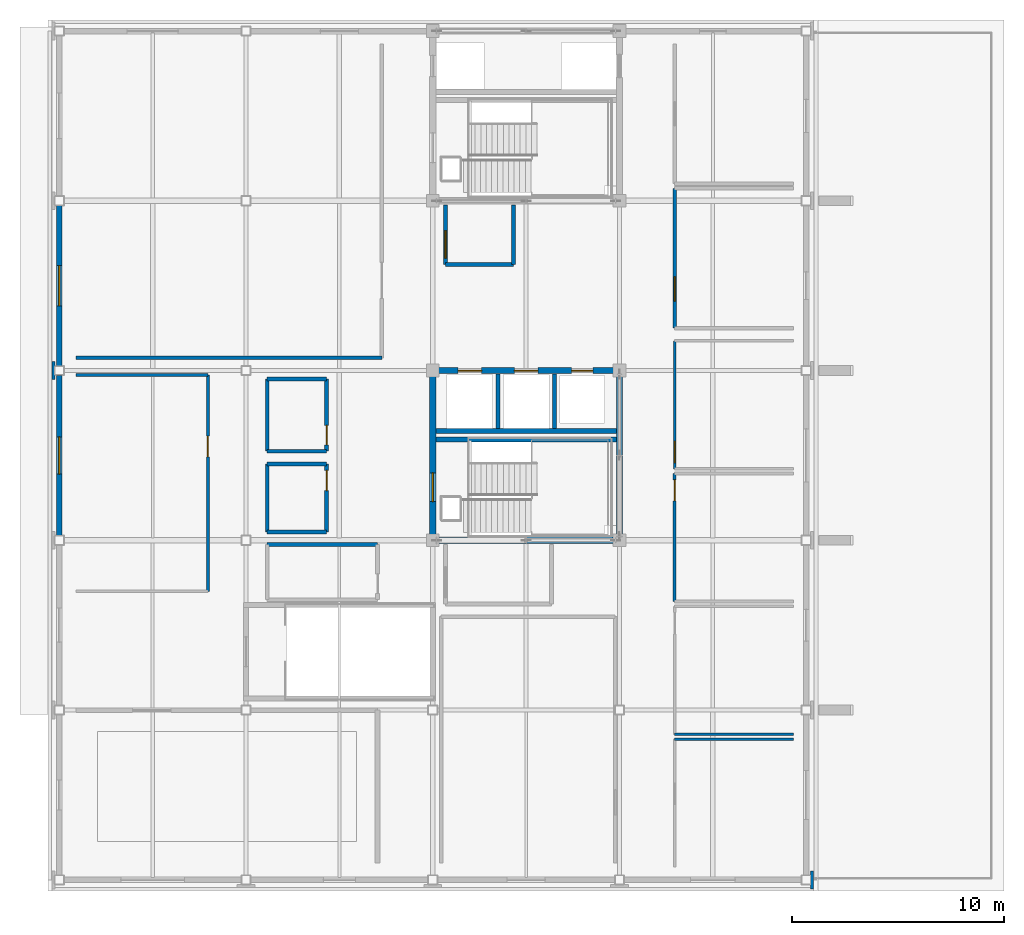
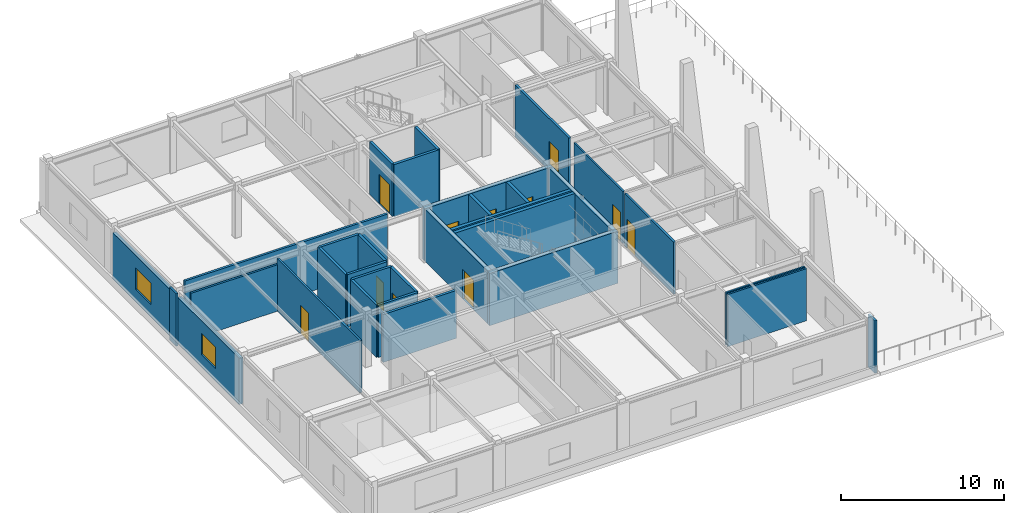
# One storey, part 7 of 13: 32 walls, 11 doors, 2 windows, 13 openings.
"""IFC4 building model written with IfcOpenShell, lengths in metres."""

from ifc_helpers import new_model, si_unit, direction, frame, frame_2d, origin, place, context, subcontext, project, spatial, rectangle, extrude, material, layer, layer_set, type_object, element, fill, save


model = new_model("IFC4")

# Units and contexts
model_context = context("Model", 3, precision=1e-05, world=origin(), true_north=direction((0.0, 1.0)))
body_context = subcontext(model_context, "Body", "Model", "MODEL_VIEW")
ifc_project = project(units=[si_unit("LENGTHUNIT", "METRE"), si_unit("AREAUNIT", "SQUARE_METRE"), si_unit("VOLUMEUNIT", "CUBIC_METRE"), si_unit("PLANEANGLEUNIT", "RADIAN"), si_unit("MASSUNIT", "GRAM", prefix="KILO")], contexts=[model_context])

# Site, building, storey
site_placement = place(None, origin())
site = spatial("IfcSite", under=ifc_project, at=site_placement, CompositionType="ELEMENT")
building_placement = place(site_placement, origin())
building = spatial("IfcBuilding", under=site, at=building_placement, Name="Zhaolan Boulevard Law Courts", CompositionType="ELEMENT")
storey_placement = place(building_placement, frame((0.0, 0.0, 37.199951171875)))
storey = spatial("IfcBuildingStorey", under=building, at=storey_placement, Name="L08", CompositionType="ELEMENT", Elevation=37.199951171875)

# Wall
ifc_material_1 = material(Name="Concrete C50", Category="concrete")
ifc_layer_1 = layer(ifc_material_1, 0.300048828125)
ifc_layer_set_1 = layer_set([ifc_layer_1])
wall_type_1 = type_object("IfcWallType", Name="CORE SHEAR WALL 300", PredefinedType="SHEAR", material=ifc_layer_set_1)
wall_1_placement = place(storey_placement, frame((17.449951171875, 46.0, 0.0), z_axis=(0.0, 0.0, 1.0), x_axis=(1.0, 0.0, 0.0)))
element("IfcWall", 1, at=wall_1_placement, inside=storey, type_object=wall_type_1, Name="Core Shear Wall CW-W1-L08S", PredefinedType="SHEAR", context=body_context, shape_type="SweptSolid", body=[
    extrude(rectangle(XDim=9.10009765625, YDim=0.300048828125, at=frame_2d((4.550048828125, 0.0))), origin(), (0.0, 0.0, 1.0), 3.920166015625),
])

# Wall, openings, doors
wall_2_placement = place(storey_placement, frame((26.550048828125, 54.0, 0.0), z_axis=(0.0, 0.0, 1.0), x_axis=(-1.0, 0.0, 0.0)))
wall_2 = element("IfcWall", 2, at=wall_2_placement, inside=storey, type_object=wall_type_1, Name="Core Shear Wall CW-W1-L08N", PredefinedType="SHEAR", context=body_context, shape_type="SweptSolid", body=[
    extrude(rectangle(XDim=9.10009765625, YDim=0.300048828125, at=frame_2d((4.550048828125, 0.0))), origin(), (0.0, 0.0, 1.0), 3.920166015625),
])
opening_1_placement = place(wall_2_placement, frame((6.64990234375, 0.0, 0.0)))
opening_1 = element("IfcOpeningElement", 3, at=opening_1_placement, cuts=wall_2, Name="Opening LD-FL-01-L08", PredefinedType="OPENING", context=body_context, shape_type="SweptSolid", body=[
    extrude(rectangle(XDim=1.10009765625, YDim=2.14990234375, at=frame_2d((0.550048828125, 1.074951171875))), frame((0.0, 0.159912109375, 0.0), z_axis=(0.0, -1.0, 0.0), x_axis=(1.0, 0.0, 0.0)), (0.0, 0.0, 1.0), 0.320068359375),
])
opening_2_placement = place(wall_2_placement, frame((4.0, 0.0, 0.0)))
opening_2 = element("IfcOpeningElement", 4, at=opening_2_placement, cuts=wall_2, Name="Opening LD-FL-02-L08", PredefinedType="OPENING", context=body_context, shape_type="SweptSolid", body=[
    extrude(rectangle(XDim=1.10009765625, YDim=2.14990234375, at=frame_2d((0.550048828125, 1.074951171875))), frame((0.0, 0.159912109375, 0.0), z_axis=(0.0, -1.0, 0.0), x_axis=(1.0, 0.0, 0.0)), (0.0, 0.0, 1.0), 0.320068359375),
])
opening_3_placement = place(wall_2_placement, frame((1.39990234375, 0.0, 0.0)))
opening_3 = element("IfcOpeningElement", 5, at=opening_3_placement, cuts=wall_2, Name="Opening LD-JL-01-L08", PredefinedType="OPENING", context=body_context, shape_type="SweptSolid", body=[
    extrude(rectangle(XDim=1.0, YDim=2.14990234375, at=frame_2d((0.5, 1.074951171875))), frame((0.0, 0.159912109375, 0.0), z_axis=(0.0, -1.0, 0.0), x_axis=(1.0, 0.0, 0.0)), (0.0, 0.0, 1.0), 0.320068359375),
])
ifc_material_2 = material(Name="Stainless steel sliding landing door", Category="steel")
door_type_1 = type_object("IfcDoorType", Name="LIFT LANDING 1000X2150", OperationType="DOUBLE_DOOR_SLIDING", PredefinedType="DOOR", material=ifc_material_2)
door_1_placement = place(opening_3_placement, origin())
door_1 = element("IfcDoor", 6, at=door_1_placement, inside=storey, type_object=door_type_1, Name="Lift Landing Sliding Door LD-JL-01-L08", OperationType="DOUBLE_DOOR_SLIDING", OverallHeight=2.14990234375, OverallWidth=1.0, PredefinedType="DOOR", context=body_context, shape_type="SweptSolid", body=[
    extrude(rectangle(XDim=1.0, YDim=2.14990234375, at=frame_2d((0.5, 1.074951171875))), frame((0.0, 0.02490234375, 0.0), z_axis=(0.0, -1.0, 0.0), x_axis=(1.0, 0.0, 0.0)), (0.0, 0.0, 1.0), 0.050048828125),
])
fill(opening_3, door_1)
ifc_material_3 = material(Name="Stainless steel sliding landing door", Category="steel")
door_type_2 = type_object("IfcDoorType", Name="LIFT LANDING 1100X2150", OperationType="DOUBLE_DOOR_SLIDING", PredefinedType="DOOR", material=ifc_material_3)
door_2_placement = place(opening_1_placement, origin())
door_2 = element("IfcDoor", 7, at=door_2_placement, inside=storey, type_object=door_type_2, Name="Lift Landing Sliding Door LD-FL-01-L08", OperationType="DOUBLE_DOOR_SLIDING", OverallHeight=2.14990234375, OverallWidth=1.10009765625, PredefinedType="DOOR", context=body_context, shape_type="SweptSolid", body=[
    extrude(rectangle(XDim=1.10009765625, YDim=2.14990234375, at=frame_2d((0.550048828125, 1.074951171875))), frame((0.0, 0.02490234375, 0.0), z_axis=(0.0, -1.0, 0.0), x_axis=(1.0, 0.0, 0.0)), (0.0, 0.0, 1.0), 0.050048828125),
])
fill(opening_1, door_2)
door_3_placement = place(opening_2_placement, origin())
door_3 = element("IfcDoor", 8, at=door_3_placement, inside=storey, type_object=door_type_2, Name="Lift Landing Sliding Door LD-FL-02-L08", OperationType="DOUBLE_DOOR_SLIDING", OverallHeight=2.14990234375, OverallWidth=1.10009765625, PredefinedType="DOOR", context=body_context, shape_type="SweptSolid", body=[
    extrude(rectangle(XDim=1.10009765625, YDim=2.14990234375, at=frame_2d((0.550048828125, 1.074951171875))), frame((0.0, 0.02490234375, 0.0), z_axis=(0.0, -1.0, 0.0), x_axis=(1.0, 0.0, 0.0)), (0.0, 0.0, 1.0), 0.050048828125),
])
fill(opening_2, door_3)

# Wall, opening, door
wall_3_placement = place(storey_placement, frame((17.60009765625, 46.14990234375, 0.0), z_axis=(0.0, 0.0, 1.0), x_axis=(0.0, 1.0, 0.0)))
wall_3 = element("IfcWall", 9, at=wall_3_placement, inside=storey, type_object=wall_type_1, Name="Core Shear Wall CW-W1-L08W", PredefinedType="SHEAR", context=body_context, shape_type="SweptSolid", body=[
    extrude(rectangle(XDim=7.7001953125, YDim=0.300048828125, at=frame_2d((3.85009765625, 0.0))), origin(), (0.0, 0.0, 1.0), 3.920166015625),
])
opening_4_placement = place(wall_3_placement, frame((1.675048828125, 0.0, 0.0)))
opening_4 = element("IfcOpeningElement", 10, at=opening_4_placement, cuts=wall_3, Name="Opening SD-L08-10", PredefinedType="OPENING", context=body_context, shape_type="SweptSolid", body=[
    extrude(rectangle(XDim=1.35009765625, YDim=2.199951171875, at=frame_2d((0.675048828125, 1.10009765625))), frame((0.0, 0.159912109375, 0.0), z_axis=(0.0, -1.0, 0.0), x_axis=(1.0, 0.0, 0.0)), (0.0, 0.0, 1.0), 0.320068359375),
])
ifc_material_4 = material(Name="Fire-rated steel acoustic door", Category="steel")
door_type_3 = type_object("IfcDoorType", Name="STAIR FIRE 1350X2200 R", OperationType="SINGLE_SWING_RIGHT", PredefinedType="DOOR", material=ifc_material_4)
door_4_placement = place(opening_4_placement, origin())
door_4 = element("IfcDoor", 11, at=door_4_placement, inside=storey, type_object=door_type_3, Name="Smoke-Proof Stairwell Fire Door SD-L08-10", OperationType="SINGLE_SWING_RIGHT", OverallHeight=2.199951171875, OverallWidth=1.35009765625, PredefinedType="DOOR", context=body_context, shape_type="SweptSolid", body=[
    extrude(rectangle(XDim=1.35009765625, YDim=2.199951171875, at=frame_2d((0.675048828125, 1.10009765625))), frame((0.0, 0.02490234375, 0.0), z_axis=(0.0, -1.0, 0.0), x_axis=(1.0, 0.0, 0.0)), (0.0, 0.0, 1.0), 0.050048828125),
])
fill(opening_4, door_4)

# Walls
wall_4_placement = place(storey_placement, frame((26.39990234375, 46.14990234375, 0.0), z_axis=(0.0, 0.0, 1.0), x_axis=(0.0, 1.0, 0.0)))
element("IfcWall", 12, at=wall_4_placement, inside=storey, type_object=wall_type_1, Name="Core Shear Wall CW-W1-L08E", PredefinedType="SHEAR", context=body_context, shape_type="SweptSolid", body=[
    extrude(rectangle(XDim=7.7001953125, YDim=0.300048828125, at=frame_2d((3.85009765625, 0.0))), origin(), (0.0, 0.0, 1.0), 3.920166015625),
])
ifc_material_5 = material(Name="Concrete C40", Category="concrete")
ifc_layer_2 = layer(ifc_material_5, 0.139892578125)
ifc_layer_set_2 = layer_set([ifc_layer_2])
wall_type_2 = type_object("IfcWallType", Name="EXT WALL ARCH CLAD140", PredefinedType="SOLIDWALL", material=ifc_layer_set_2)
for number, where, z_axis, x_axis, name in (
    (13, (35.47998046875, 29.580078125, 0.0), (0.0, 0.0, 1.0), (0.0, 1.0, 0.0), "Concrete Column Cloak Pier CPR-184"),
    (14, (-0.280029296875, 53.580078125, 0.0), (0.0, 0.0, 1.0), (0.0, 1.0, 0.0), "Concrete Column Cloak Pier CPR-189"),
):
    element("IfcWall", number, at=place(storey_placement, frame(where, z_axis=z_axis, x_axis=x_axis)), inside=storey, type_object=wall_type_2, Name=name, PredefinedType="SOLIDWALL", context=body_context, shape_type="SweptSolid", body=[
        extrude(rectangle(XDim=0.83984375, YDim=0.139892578125, at=frame_2d((0.419921875, 0.0))), origin(), (0.0, 0.0, 1.0), 3.93994140625),
    ])

# Wall, opening, window
ifc_material_6 = material(Name="Concrete C40", Category="concrete")
ifc_layer_3 = layer(ifc_material_6, 0.260009765625)
ifc_layer_set_3 = layer_set([ifc_layer_3])
wall_type_3 = type_object("IfcWallType", Name="EXT WALL CONCRETE260", PredefinedType="SOLIDWALL", material=ifc_layer_set_3)
wall_5_placement = place(storey_placement, frame((0.0, 53.779052734375, 0.0), z_axis=(0.0, 0.0, 1.0), x_axis=(0.0, -1.0, 0.0)))
wall_5 = element("IfcWall", 15, at=wall_5_placement, inside=storey, type_object=wall_type_3, Name="Exterior Wall EW-L08-417", PredefinedType="SOLIDWALL", context=body_context, shape_type="SweptSolid", body=[
    extrude(rectangle(XDim=7.55810546875, YDim=0.260009765625, at=frame_2d((3.779052734375, 0.0))), origin(), (0.0, 0.0, 1.0), 3.483154296875),
])
opening_5_placement = place(wall_5_placement, frame((2.904052734375, 0.0, 0.949951171875)))
opening_5 = element("IfcOpeningElement", 16, at=opening_5_placement, cuts=wall_5, Name="Opening WIN-L08-267", PredefinedType="OPENING", context=body_context, shape_type="SweptSolid", body=[
    extrude(rectangle(XDim=1.75, YDim=1.60009765625, at=frame_2d((0.875, 0.800048828125))), frame((0.0, 0.139892578125, 0.0), z_axis=(0.0, -1.0, 0.0), x_axis=(1.0, 0.0, 0.0)), (0.0, 0.0, 1.0), 0.280029296875),
])
ifc_material_7 = material(Name="Thermally broken aluminium and low-E glazing", Category="aluminium")
window_type_1 = type_object("IfcWindowType", Name="WINDOW 1750X1600", PartitioningType="SINGLE_PANEL", PredefinedType="WINDOW", material=ifc_material_7)
window_1_placement = place(opening_5_placement, origin())
window_1 = element("IfcWindow", 17, at=window_1_placement, inside=storey, type_object=window_type_1, Name="Exterior Window WIN-L08-267", OverallHeight=1.60009765625, OverallWidth=1.75, PartitioningType="SINGLE_PANEL", PredefinedType="WINDOW", context=body_context, shape_type="SweptSolid", body=[
    extrude(rectangle(XDim=1.75, YDim=1.60009765625, at=frame_2d((0.875, 0.800048828125))), frame((0.0, 0.030029296875, 0.0), z_axis=(0.0, -1.0, 0.0), x_axis=(1.0, 0.0, 0.0)), (0.0, 0.0, 1.0), 0.06005859375),
])
fill(opening_5, window_1)

wall_6_placement = place(storey_placement, frame((0.0, 61.779052734375, 0.0), z_axis=(0.0, 0.0, 1.0), x_axis=(0.0, -1.0, 0.0)))
wall_6 = element("IfcWall", 18, at=wall_6_placement, inside=storey, type_object=wall_type_3, Name="Exterior Wall EW-L08-418", PredefinedType="SOLIDWALL", context=body_context, shape_type="SweptSolid", body=[
    extrude(rectangle(XDim=7.55810546875, YDim=0.260009765625, at=frame_2d((3.779052734375, 0.0))), origin(), (0.0, 0.0, 1.0), 3.483154296875),
])
opening_6_placement = place(wall_6_placement, frame((2.8291015625, 0.0, 0.949951171875)))
opening_6 = element("IfcOpeningElement", 19, at=opening_6_placement, cuts=wall_6, Name="Opening WIN-L08-268", PredefinedType="OPENING", context=body_context, shape_type="SweptSolid", body=[
    extrude(rectangle(XDim=1.89990234375, YDim=1.60009765625, at=frame_2d((0.949951171875, 0.800048828125))), frame((0.0, 0.139892578125, 0.0), z_axis=(0.0, -1.0, 0.0), x_axis=(1.0, 0.0, 0.0)), (0.0, 0.0, 1.0), 0.280029296875),
])
ifc_material_8 = material(Name="Thermally broken aluminium and low-E glazing", Category="aluminium")
window_type_2 = type_object("IfcWindowType", Name="WINDOW 1900X1600", PartitioningType="DOUBLE_PANEL_VERTICAL", PredefinedType="WINDOW", material=ifc_material_8)
window_2_placement = place(opening_6_placement, origin())
window_2 = element("IfcWindow", 20, at=window_2_placement, inside=storey, type_object=window_type_2, Name="Exterior Window WIN-L08-268", OverallHeight=1.60009765625, OverallWidth=1.89990234375, PartitioningType="SINGLE_PANEL", PredefinedType="WINDOW", context=body_context, shape_type="SweptSolid", body=[
    extrude(rectangle(XDim=1.89990234375, YDim=1.60009765625, at=frame_2d((0.949951171875, 0.800048828125))), frame((0.0, 0.030029296875, 0.0), z_axis=(0.0, -1.0, 0.0), x_axis=(1.0, 0.0, 0.0)), (0.0, 0.0, 1.0), 0.06005859375),
])
fill(opening_6, window_2)

# Walls
ifc_material_9 = material(Name="Concrete C50", Category="concrete")
ifc_layer_4 = layer(ifc_material_9, 0.239990234375)
ifc_layer_set_4 = layer_set([ifc_layer_4])
wall_type_4 = type_object("IfcWallType", Name="LIFT SHAFT WALL 240", PredefinedType="SHEAR", material=ifc_layer_set_4)
wall_7_placement = place(storey_placement, frame((17.75, 51.155029296875, 0.0), z_axis=(0.0, 0.0, 1.0), x_axis=(1.0, 0.0, 0.0)))
element("IfcWall", 21, at=wall_7_placement, inside=storey, type_object=wall_type_4, Name="Lift Shaft Enclosure Wall W1 (L08)", PredefinedType="SHEAR", context=body_context, shape_type="SweptSolid", body=[
    extrude(rectangle(XDim=8.5, YDim=0.239990234375, at=frame_2d((4.25, 0.0))), origin(), (0.0, 0.0, 1.0), 3.920166015625),
])
ifc_material_10 = material(Name="Acoustic gypsum and mineral-wool stud")
ifc_layer_5 = layer(ifc_material_10, 0.18994140625)
ifc_layer_set_5 = layer_set([ifc_layer_5])
wall_type_5 = type_object("IfcWallType", Name="PART WALL ACOUST190", PredefinedType="PARTITIONING", material=ifc_layer_set_5)
wall_8_placement = place(storey_placement, frame((18.199951171875, 59.0, 0.0), z_axis=(0.0, 0.0, 1.0), x_axis=(1.0, 0.0, 0.0)))
element("IfcWall", 22, at=wall_8_placement, inside=storey, type_object=wall_type_5, Name="Interior Partition PW-L08-058", PredefinedType="PARTITIONING", context=body_context, shape_type="SweptSolid", body=[
    extrude(rectangle(XDim=3.199951171875, YDim=0.18994140625, at=frame_2d((1.60009765625, 0.0))), origin(), (0.0, 0.0, 1.0), 3.920166015625),
])

# Wall, opening, door
wall_9_placement = place(storey_placement, frame((18.199951171875, 61.800048828125, 0.0), z_axis=(0.0, 0.0, 1.0), x_axis=(0.0, -1.0, 0.0)))
wall_9 = element("IfcWall", 23, at=wall_9_placement, inside=storey, type_object=wall_type_5, Name="Interior Partition PW-L08-059", PredefinedType="PARTITIONING", context=body_context, shape_type="SweptSolid", body=[
    extrude(rectangle(XDim=2.800048828125, YDim=0.18994140625, at=frame_2d((1.39990234375, 0.0))), origin(), (0.0, 0.0, 1.0), 3.920166015625),
])
opening_7_placement = place(wall_9_placement, frame((1.199951171875, 0.0, 0.0)))
opening_7 = element("IfcOpeningElement", 24, at=opening_7_placement, cuts=wall_9, Name="Opening FD-L08-020", PredefinedType="OPENING", context=body_context, shape_type="SweptSolid", body=[
    extrude(rectangle(XDim=1.300048828125, YDim=2.199951171875, at=frame_2d((0.64990234375, 1.10009765625))), frame((0.0, 0.10498046875, 0.0), z_axis=(0.0, -1.0, 0.0), x_axis=(1.0, 0.0, 0.0)), (0.0, 0.0, 1.0), 0.2099609375),
])
ifc_material_11 = material(Name="Fire-rated steel acoustic door", Category="steel")
door_type_4 = type_object("IfcDoorType", Name="LOBBY FIRE 1300X2200 R", OperationType="SINGLE_SWING_RIGHT", PredefinedType="DOOR", material=ifc_material_11)
door_5_placement = place(opening_7_placement, origin())
door_5 = element("IfcDoor", 25, at=door_5_placement, inside=storey, type_object=door_type_4, Name="Door FD-L08-020 (Lobby Firefighting Lift L08-W2)", OperationType="SINGLE_SWING_RIGHT", OverallHeight=2.199951171875, OverallWidth=1.300048828125, PredefinedType="DOOR", context=body_context, shape_type="SweptSolid", body=[
    extrude(rectangle(XDim=1.300048828125, YDim=2.199951171875, at=frame_2d((0.64990234375, 1.10009765625))), frame((0.0, 0.02490234375, 0.0), z_axis=(0.0, -1.0, 0.0), x_axis=(1.0, 0.0, 0.0)), (0.0, 0.0, 1.0), 0.050048828125),
])
fill(opening_7, door_5)

# Walls
wall_10_placement = place(storey_placement, frame((21.39990234375, 59.0, 0.0), z_axis=(0.0, 0.0, 1.0), x_axis=(0.0, 1.0, 0.0)))
element("IfcWall", 26, at=wall_10_placement, inside=storey, type_object=wall_type_5, Name="Interior Partition PW-L08-060", PredefinedType="PARTITIONING", context=body_context, shape_type="SweptSolid", body=[
    extrude(rectangle(XDim=2.800048828125, YDim=0.18994140625, at=frame_2d((1.39990234375, 0.0))), origin(), (0.0, 0.0, 1.0), 3.920166015625),
])
ifc_material_12 = material(Name="Fire-rated gypsum stud partition")
ifc_layer_6 = layer(ifc_material_12, 0.159912109375)
ifc_layer_set_6 = layer_set([ifc_layer_6])
wall_type_6 = type_object("IfcWallType", Name="PART WALL CHAMB160", PredefinedType="PARTITIONING", material=ifc_layer_set_6)
wall_11_placement = place(storey_placement, frame((0.800048828125, 54.60009765625, 0.0), z_axis=(0.0, 0.0, 1.0), x_axis=(1.0, 0.0, 0.0)))
element("IfcWall", 27, at=wall_11_placement, inside=storey, type_object=wall_type_6, Name="Interior Partition PW-L08-712", PredefinedType="PARTITIONING", context=body_context, shape_type="SweptSolid", body=[
    extrude(rectangle(XDim=14.39990234375, YDim=0.159912109375, at=frame_2d((7.199951171875, 0.0))), origin(), (0.0, 0.0, 1.0), 3.920166015625),
])

# Wall, opening, door
wall_12_placement = place(storey_placement, frame((29.0, 62.590087890625, 0.0), z_axis=(0.0, 0.0, 1.0), x_axis=(0.0, -1.0, 0.0)))
wall_12 = element("IfcWall", 28, at=wall_12_placement, inside=storey, type_object=wall_type_6, Name="Interior Partition PW-L08-727", PredefinedType="PARTITIONING", context=body_context, shape_type="SweptSolid", body=[
    extrude(rectangle(XDim=6.590087890625, YDim=0.159912109375, at=frame_2d((3.294921875, 0.0))), origin(), (0.0, 0.0, 1.0), 3.920166015625),
])
opening_8_placement = place(wall_12_placement, frame((4.172119140625, 0.0, 0.0)))
opening_8 = element("IfcOpeningElement", 29, at=opening_8_placement, cuts=wall_12, Name="Opening JR-L08-225", PredefinedType="OPENING", context=body_context, shape_type="SweptSolid", body=[
    extrude(rectangle(XDim=1.14990234375, YDim=2.199951171875, at=frame_2d((0.574951171875, 1.10009765625))), frame((0.0, 0.08984375, 0.0), z_axis=(0.0, -1.0, 0.0), x_axis=(1.0, 0.0, 0.0)), (0.0, 0.0, 1.0), 0.179931640625),
])
ifc_material_13 = material(Name="Solid-core acoustic oak veneer door")
door_type_5 = type_object("IfcDoorType", Name="JURY DOOR 1150X2200 L", OperationType="SINGLE_SWING_LEFT", PredefinedType="DOOR", material=ifc_material_13)
door_6_placement = place(opening_8_placement, origin())
door_6 = element("IfcDoor", 30, at=door_6_placement, inside=storey, type_object=door_type_5, Name="Door JR-L08-225 (Jury Room L08-01)", OperationType="SINGLE_SWING_LEFT", OverallHeight=2.199951171875, OverallWidth=1.14990234375, PredefinedType="DOOR", context=body_context, shape_type="SweptSolid", body=[
    extrude(rectangle(XDim=1.14990234375, YDim=2.199951171875, at=frame_2d((0.574951171875, 1.10009765625))), frame((0.0, 0.02490234375, 0.0), z_axis=(0.0, -1.0, 0.0), x_axis=(1.0, 0.0, 0.0)), (0.0, 0.0, 1.0), 0.050048828125),
])
fill(opening_8, door_6)

# Walls
ifc_material_14 = material(Name="Concrete C40", Category="concrete")
ifc_layer_7 = layer(ifc_material_14, 0.2099609375)
ifc_layer_set_7 = layer_set([ifc_layer_7])
wall_type_7 = type_object("IfcWallType", Name="PART WALL CUSTODY210", PredefinedType="PARTITIONING", material=ifc_layer_set_7)
for number, where, z_axis, x_axis, name in (
    (31, (20.675048828125, 51.277099609375, 0.0), (0.0, 0.0, 1.0), (0.0, 1.0, 0.0), "Lift Shaft Divider Wall W1-1 (L08)"),
    (32, (23.337890625, 51.277099609375, 0.0), (0.0, 0.0, 1.0), (0.0, 1.0, 0.0), "Lift Shaft Divider Wall W1-2 (L08)"),
):
    element("IfcWall", number, at=place(storey_placement, frame(where, z_axis=z_axis, x_axis=x_axis)), inside=storey, type_object=wall_type_7, Name=name, PredefinedType="PARTITIONING", context=body_context, shape_type="SweptSolid", body=[
        extrude(rectangle(XDim=2.57080078125, YDim=0.2099609375, at=frame_2d((1.285400390625, 0.0))), origin(), (0.0, 0.0, 1.0), 3.920166015625),
    ])
ifc_material_15 = material(Name="Gypsum board stud partition")
ifc_layer_8 = layer(ifc_material_15, 0.1201171875)
ifc_layer_set_8 = layer_set([ifc_layer_8])
wall_type_8 = type_object("IfcWallType", Name="PART WALL LIGHT120", PredefinedType="PARTITIONING", material=ifc_layer_set_8)
for number, where, z_axis, x_axis, name in (
    (33, (34.60009765625, 36.635009765625, 0.0), (0.0, 0.0, 1.0), (-1.0, 0.0, 0.0), "Interior Partition PW-L08-714"),
    (34, (29.0, 36.85498046875, 0.0), (0.0, 0.0, 1.0), (1.0, 0.0, 0.0), "Interior Partition PW-L08-716"),
):
    element("IfcWall", number, at=place(storey_placement, frame(where, z_axis=z_axis, x_axis=x_axis)), inside=storey, type_object=wall_type_8, Name=name, PredefinedType="PARTITIONING", context=body_context, shape_type="SweptSolid", body=[
        extrude(rectangle(XDim=5.60009765625, YDim=0.1201171875, at=frame_2d((2.800048828125, 0.0))), origin(), (0.0, 0.0, 1.0), 3.920166015625),
    ])

# Wall, opening, door
wall_13_placement = place(storey_placement, frame((29.0, 55.39990234375, 0.0), z_axis=(0.0, 0.0, 1.0), x_axis=(0.0, -1.0, 0.0)))
wall_13 = element("IfcWall", 35, at=wall_13_placement, inside=storey, type_object=wall_type_8, Name="Interior Partition PW-L08-724", PredefinedType="PARTITIONING", context=body_context, shape_type="SweptSolid", body=[
    extrude(rectangle(XDim=6.034912109375, YDim=0.1201171875, at=frame_2d((3.017578125, 0.0))), origin(), (0.0, 0.0, 1.0), 3.920166015625),
])
opening_9_placement = place(wall_13_placement, frame((4.735107421875, 0.0, 0.0)))
opening_9 = element("IfcOpeningElement", 36, at=opening_9_placement, cuts=wall_13, Name="Opening JD-L08-224", PredefinedType="OPENING", context=body_context, shape_type="SweptSolid", body=[
    extrude(rectangle(XDim=1.0, YDim=2.199951171875, at=frame_2d((0.5, 1.10009765625))), frame((0.0, 0.070068359375, 0.0), z_axis=(0.0, -1.0, 0.0), x_axis=(1.0, 0.0, 0.0)), (0.0, 0.0, 1.0), 0.14013671875),
])
ifc_material_16 = material(Name="Solid-core acoustic oak veneer door")
door_type_6 = type_object("IfcDoorType", Name="CHAMBER DOOR 1000X2200 L", OperationType="SINGLE_SWING_LEFT", PredefinedType="DOOR", material=ifc_material_16)
door_7_placement = place(opening_9_placement, origin())
door_7 = element("IfcDoor", 37, at=door_7_placement, inside=storey, type_object=door_type_6, Name="Door JD-L08-224 (Judges' Chambers L08-04)", OperationType="SINGLE_SWING_LEFT", OverallHeight=2.199951171875, OverallWidth=1.0, PredefinedType="DOOR", context=body_context, shape_type="SweptSolid", body=[
    extrude(rectangle(XDim=1.0, YDim=2.199951171875, at=frame_2d((0.5, 1.10009765625))), frame((0.0, 0.02490234375, 0.0), z_axis=(0.0, -1.0, 0.0), x_axis=(1.0, 0.0, 0.0)), (0.0, 0.0, 1.0), 0.050048828125),
])
fill(opening_9, door_7)

ifc_material_17 = material(Name="Fire-rated gypsum stud partition")
ifc_layer_9 = layer(ifc_material_17, 0.139892578125)
ifc_layer_set_9 = layer_set([ifc_layer_9])
wall_type_9 = type_object("IfcWallType", Name="PART WALL OFFICE140", PredefinedType="PARTITIONING", material=ifc_layer_set_9)
wall_14_placement = place(storey_placement, frame((29.0, 49.14501953125, 0.0), z_axis=(0.0, 0.0, 1.0), x_axis=(0.0, -1.0, 0.0)))
wall_14 = element("IfcWall", 38, at=wall_14_placement, inside=storey, type_object=wall_type_9, Name="Interior Partition PW-L08-721", PredefinedType="PARTITIONING", context=body_context, shape_type="SweptSolid", body=[
    extrude(rectangle(XDim=6.034912109375, YDim=0.139892578125, at=frame_2d((3.017578125, 0.0))), origin(), (0.0, 0.0, 1.0), 3.920166015625),
])
opening_10_placement = place(wall_14_placement, frame((0.300048828125, 0.0, 0.0)))
opening_10 = element("IfcOpeningElement", 39, at=opening_10_placement, cuts=wall_14, Name="Opening JD-L08-223", PredefinedType="OPENING", context=body_context, shape_type="SweptSolid", body=[
    extrude(rectangle(XDim=0.97998046875, YDim=2.14990234375, at=frame_2d((0.489990234375, 1.074951171875))), frame((0.0, 0.079833984375, 0.0), z_axis=(0.0, -1.0, 0.0), x_axis=(1.0, 0.0, 0.0)), (0.0, 0.0, 1.0), 0.159912109375),
])
ifc_material_18 = material(Name="Solid-core acoustic oak veneer door")
door_type_7 = type_object("IfcDoorType", Name="CHAMBER DOOR 980X2150 R", OperationType="SINGLE_SWING_RIGHT", PredefinedType="DOOR", material=ifc_material_18)
door_8_placement = place(opening_10_placement, origin())
door_8 = element("IfcDoor", 40, at=door_8_placement, inside=storey, type_object=door_type_7, Name="Door JD-L08-223 (Judges' Chambers L08-03)", OperationType="SINGLE_SWING_RIGHT", OverallHeight=2.14990234375, OverallWidth=0.97998046875, PredefinedType="DOOR", context=body_context, shape_type="SweptSolid", body=[
    extrude(rectangle(XDim=0.97998046875, YDim=2.14990234375, at=frame_2d((0.489990234375, 1.074951171875))), frame((0.0, 0.02490234375, 0.0), z_axis=(0.0, -1.0, 0.0), x_axis=(1.0, 0.0, 0.0)), (0.0, 0.0, 1.0), 0.050048828125),
])
fill(opening_10, door_8)

# Wall
wall_15_placement = place(storey_placement, frame((7.0, 53.800048828125, 0.0), z_axis=(0.0, 0.0, 1.0), x_axis=(-1.0, 0.0, 0.0)))
element("IfcWall", 41, at=wall_15_placement, inside=storey, type_object=wall_type_9, Name="Interior Partition PW-L08-810", PredefinedType="PARTITIONING", context=body_context, shape_type="SweptSolid", body=[
    extrude(rectangle(XDim=6.199951171875, YDim=0.139892578125, at=frame_2d((3.10009765625, 0.0))), origin(), (0.0, 0.0, 1.0), 3.486083984375),
])

# Wall, opening, door
wall_16_placement = place(storey_placement, frame((7.0, 43.60009765625, 0.0), z_axis=(0.0, 0.0, 1.0), x_axis=(0.0, 1.0, 0.0)))
wall_16 = element("IfcWall", 42, at=wall_16_placement, inside=storey, type_object=wall_type_9, Name="Interior Partition PW-L08-811", PredefinedType="PARTITIONING", context=body_context, shape_type="SweptSolid", body=[
    extrude(rectangle(XDim=10.199951171875, YDim=0.139892578125, at=frame_2d((5.10009765625, 0.0))), origin(), (0.0, 0.0, 1.0), 3.920166015625),
])
opening_11_placement = place(wall_16_placement, frame((6.333984375, 0.0, 0.0)))
opening_11 = element("IfcOpeningElement", 43, at=opening_11_placement, cuts=wall_16, Name="Opening JD-L08-255", PredefinedType="OPENING", context=body_context, shape_type="SweptSolid", body=[
    extrude(rectangle(XDim=0.97998046875, YDim=2.14990234375, at=frame_2d((0.489990234375, 1.074951171875))), frame((0.0, 0.079833984375, 0.0), z_axis=(0.0, -1.0, 0.0), x_axis=(1.0, 0.0, 0.0)), (0.0, 0.0, 1.0), 0.159912109375),
])
door_9_placement = place(opening_11_placement, origin())
door_9 = element("IfcDoor", 44, at=door_9_placement, inside=storey, type_object=door_type_7, Name="Door JD-L08-255 (Senior Clerkship Suite L08)", OperationType="SINGLE_SWING_RIGHT", OverallHeight=2.14990234375, OverallWidth=0.97998046875, PredefinedType="DOOR", context=body_context, shape_type="SweptSolid", body=[
    extrude(rectangle(XDim=0.97998046875, YDim=2.14990234375, at=frame_2d((0.489990234375, 1.074951171875))), frame((0.0, 0.02490234375, 0.0), z_axis=(0.0, -1.0, 0.0), x_axis=(1.0, 0.0, 0.0)), (0.0, 0.0, 1.0), 0.050048828125),
])
fill(opening_11, door_9)

# Walls
ifc_material_19 = material(Name="Moisture-resistant masonry chase wall", Category="masonry")
ifc_layer_10 = layer(ifc_material_19, 0.179931640625)
ifc_layer_set_10 = layer_set([ifc_layer_10])
wall_type_10 = type_object("IfcWallType", Name="PLUMB WALL 180", PredefinedType="PLUMBINGWALL", material=ifc_layer_set_10)
for number, where, z_axis, x_axis, name in (
    (45, (9.800048828125, 46.39990234375, 0.0), (0.0, 0.0, 1.0), (1.0, 0.0, 0.0), "Interior Partition PW-L08-187"),
    (46, (12.60009765625, 49.60009765625, 0.0), (0.0, 0.0, 1.0), (-1.0, 0.0, 0.0), "Interior Partition PW-L08-188"),
):
    element("IfcWall", number, at=place(storey_placement, frame(where, z_axis=z_axis, x_axis=x_axis)), inside=storey, type_object=wall_type_10, Name=name, PredefinedType="PLUMBINGWALL", context=body_context, shape_type="SweptSolid", body=[
        extrude(rectangle(XDim=2.800048828125, YDim=0.179931640625, at=frame_2d((1.39990234375, 0.0))), origin(), (0.0, 0.0, 1.0), 3.920166015625),
    ])
wall_17_placement = place(storey_placement, frame((9.800048828125, 49.60009765625, 0.0), z_axis=(0.0, 0.0, 1.0), x_axis=(0.0, -1.0, 0.0)))
element("IfcWall", 47, at=wall_17_placement, inside=storey, type_object=wall_type_10, Name="Interior Partition PW-L08-189", PredefinedType="PLUMBINGWALL", context=body_context, shape_type="SweptSolid", body=[
    extrude(rectangle(XDim=3.2001953125, YDim=0.179931640625, at=frame_2d((1.60009765625, 0.0))), origin(), (0.0, 0.0, 1.0), 3.920166015625),
])

# Wall, opening, door
wall_18_placement = place(storey_placement, frame((12.60009765625, 46.39990234375, 0.0), z_axis=(0.0, 0.0, 1.0), x_axis=(0.0, 1.0, 0.0)))
wall_18 = element("IfcWall", 48, at=wall_18_placement, inside=storey, type_object=wall_type_10, Name="Interior Partition PW-L08-190", PredefinedType="PLUMBINGWALL", context=body_context, shape_type="SweptSolid", body=[
    extrude(rectangle(XDim=3.2001953125, YDim=0.179931640625, at=frame_2d((1.60009765625, 0.0))), origin(), (0.0, 0.0, 1.0), 3.920166015625),
])
opening_12_placement = place(wall_18_placement, frame((1.93994140625, 0.0, 0.0)))
opening_12 = element("IfcOpeningElement", 49, at=opening_12_placement, cuts=wall_18, Name="Opening WD-L08-055", PredefinedType="OPENING", context=body_context, shape_type="SweptSolid", body=[
    extrude(rectangle(XDim=0.9599609375, YDim=2.10009765625, at=frame_2d((0.47998046875, 1.050048828125))), frame((0.0, 0.099853515625, 0.0), z_axis=(0.0, -1.0, 0.0), x_axis=(1.0, 0.0, 0.0)), (0.0, 0.0, 1.0), 0.199951171875),
])
ifc_material_20 = material(Name="Solid-core acoustic oak veneer door")
door_type_8 = type_object("IfcDoorType", Name="WCDOOR ACC 960X2100 L", OperationType="SINGLE_SWING_LEFT", PredefinedType="DOOR", material=ifc_material_20)
door_10_placement = place(opening_12_placement, origin())
door_10 = element("IfcDoor", 50, at=door_10_placement, inside=storey, type_object=door_type_8, Name="Door WD-L08-055 (Accessible WC L08)", OperationType="SINGLE_SWING_LEFT", OverallHeight=2.10009765625, OverallWidth=0.9599609375, PredefinedType="DOOR", context=body_context, shape_type="SweptSolid", body=[
    extrude(rectangle(XDim=0.9599609375, YDim=2.10009765625, at=frame_2d((0.47998046875, 1.050048828125))), frame((0.0, 0.02490234375, 0.0), z_axis=(0.0, -1.0, 0.0), x_axis=(1.0, 0.0, 0.0)), (0.0, 0.0, 1.0), 0.050048828125),
])
fill(opening_12, door_10)

# Walls
for number, where, z_axis, x_axis, name in (
    (51, (9.800048828125, 50.199951171875, 0.0), (0.0, 0.0, 1.0), (1.0, 0.0, 0.0), "Interior Partition PW-L08-191"),
    (52, (12.60009765625, 53.60009765625, 0.0), (0.0, 0.0, 1.0), (-1.0, 0.0, 0.0), "Interior Partition PW-L08-192"),
):
    element("IfcWall", number, at=place(storey_placement, frame(where, z_axis=z_axis, x_axis=x_axis)), inside=storey, type_object=wall_type_10, Name=name, PredefinedType="PLUMBINGWALL", context=body_context, shape_type="SweptSolid", body=[
        extrude(rectangle(XDim=2.800048828125, YDim=0.179931640625, at=frame_2d((1.39990234375, 0.0))), origin(), (0.0, 0.0, 1.0), 3.920166015625),
    ])
wall_19_placement = place(storey_placement, frame((9.800048828125, 53.60009765625, 0.0), z_axis=(0.0, 0.0, 1.0), x_axis=(0.0, -1.0, 0.0)))
element("IfcWall", 53, at=wall_19_placement, inside=storey, type_object=wall_type_10, Name="Interior Partition PW-L08-193", PredefinedType="PLUMBINGWALL", context=body_context, shape_type="SweptSolid", body=[
    extrude(rectangle(XDim=3.400146484375, YDim=0.179931640625, at=frame_2d((1.7001953125, 0.0))), origin(), (0.0, 0.0, 1.0), 3.920166015625),
])

# Wall, opening, door
wall_20_placement = place(storey_placement, frame((12.60009765625, 50.199951171875, 0.0), z_axis=(0.0, 0.0, 1.0), x_axis=(0.0, 1.0, 0.0)))
wall_20 = element("IfcWall", 54, at=wall_20_placement, inside=storey, type_object=wall_type_10, Name="Interior Partition PW-L08-194", PredefinedType="PLUMBINGWALL", context=body_context, shape_type="SweptSolid", body=[
    extrude(rectangle(XDim=3.400146484375, YDim=0.179931640625, at=frame_2d((1.7001953125, 0.0))), origin(), (0.0, 0.0, 1.0), 3.920166015625),
])
opening_13_placement = place(wall_20_placement, frame((0.300048828125, 0.0, 0.0)))
opening_13 = element("IfcOpeningElement", 55, at=opening_13_placement, cuts=wall_20, Name="Opening WD-L08-056", PredefinedType="OPENING", context=body_context, shape_type="SweptSolid", body=[
    extrude(rectangle(XDim=0.919921875, YDim=2.10009765625, at=frame_2d((0.4599609375, 1.050048828125))), frame((0.0, 0.099853515625, 0.0), z_axis=(0.0, -1.0, 0.0), x_axis=(1.0, 0.0, 0.0)), (0.0, 0.0, 1.0), 0.199951171875),
])
ifc_material_21 = material(Name="Solid-core acoustic oak veneer door")
door_type_9 = type_object("IfcDoorType", Name="WCDOOR PUB 920X2100 R", OperationType="SINGLE_SWING_RIGHT", PredefinedType="DOOR", material=ifc_material_21)
door_11_placement = place(opening_13_placement, origin())
door_11 = element("IfcDoor", 56, at=door_11_placement, inside=storey, type_object=door_type_9, Name="Door WD-L08-056 (WC Public Male L08)", OperationType="SINGLE_SWING_RIGHT", OverallHeight=2.10009765625, OverallWidth=0.919921875, PredefinedType="DOOR", context=body_context, shape_type="SweptSolid", body=[
    extrude(rectangle(XDim=0.919921875, YDim=2.10009765625, at=frame_2d((0.4599609375, 1.050048828125))), frame((0.0, 0.02490234375, 0.0), z_axis=(0.0, -1.0, 0.0), x_axis=(1.0, 0.0, 0.0)), (0.0, 0.0, 1.0), 0.050048828125),
])
fill(opening_13, door_11)

# Walls
wall_21_placement = place(storey_placement, frame((15.0, 45.800048828125, 0.0), z_axis=(0.0, 0.0, 1.0), x_axis=(-1.0, 0.0, 0.0)))
element("IfcWall", 57, at=wall_21_placement, inside=storey, type_object=wall_type_10, Name="Interior Partition PW-L08-196", PredefinedType="PLUMBINGWALL", context=body_context, shape_type="SweptSolid", body=[
    extrude(rectangle(XDim=5.199951171875, YDim=0.179931640625, at=frame_2d((2.60009765625, 0.0))), origin(), (0.0, 0.0, 1.0), 3.595947265625),
])
ifc_material_22 = material(Name="Concrete C50", Category="concrete")
ifc_layer_11 = layer(ifc_material_22, 0.239990234375)
ifc_layer_set_11 = layer_set([ifc_layer_11])
wall_type_11 = type_object("IfcWallType", Name="STAIR WELL WALL 240", PredefinedType="SHEAR", material=ifc_layer_set_11)
wall_22_placement = place(storey_placement, frame((17.75, 50.75, 0.0), z_axis=(0.0, 0.0, 1.0), x_axis=(1.0, 0.0, 0.0)))
element("IfcWall", 58, at=wall_22_placement, inside=storey, type_object=wall_type_11, Name="Stairwell Divider Shear Wall ST01-L08N", PredefinedType="SHEAR", context=body_context, shape_type="SweptSolid", body=[
    extrude(rectangle(XDim=8.5, YDim=0.239990234375, at=frame_2d((4.25, 0.0))), origin(), (0.0, 0.0, 1.0), 3.949951171875),
])

save(model, "model.ifc")
